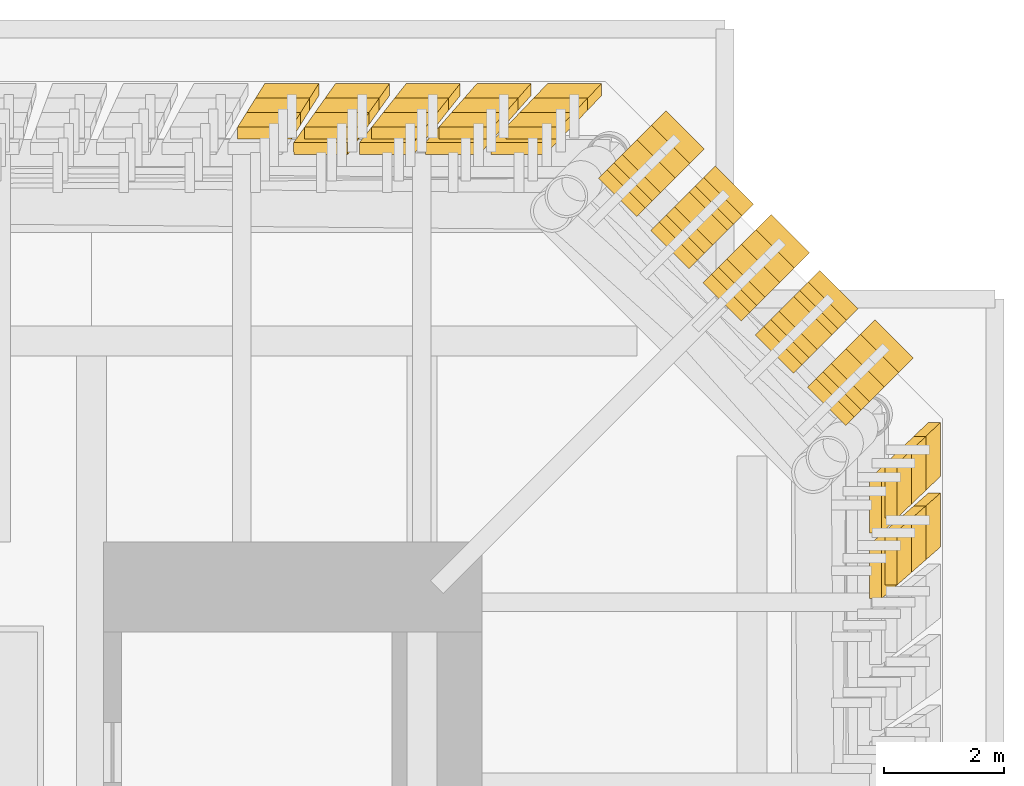
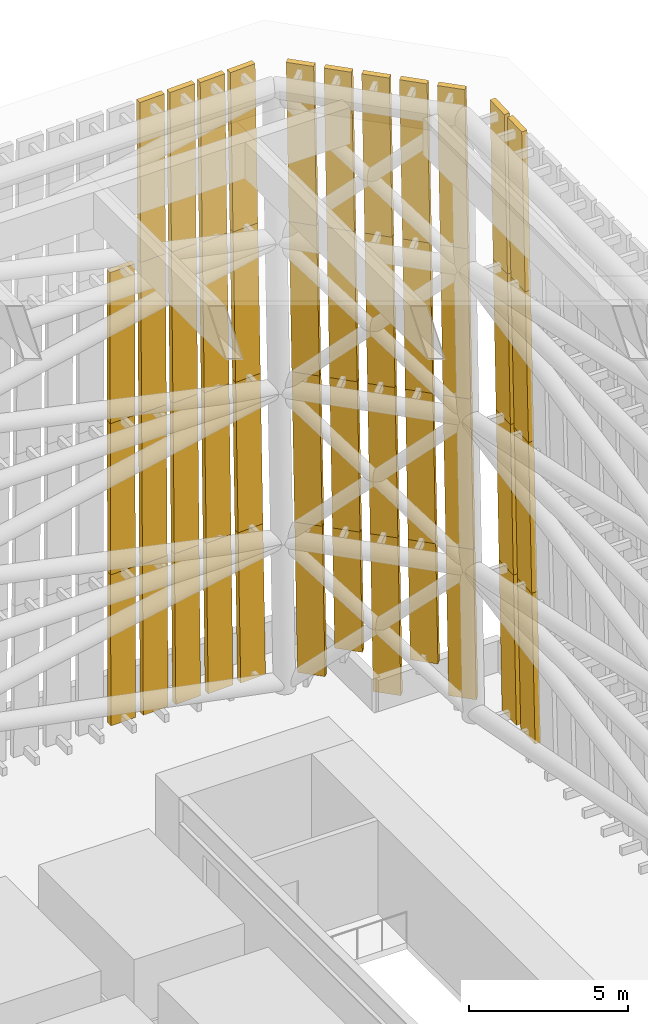
# One storey, part 12 of 13: 47 shading devices.
"""IFC4 building model written with IfcOpenShell, lengths in metres."""

from ifc_helpers import new_model, si_unit, direction, frame, origin, origin_2d, place, context, subcontext, project, spatial, rectangle, extrude, source, transform, mapped, material, material_profile, profile_set, type_object, element, save


model = new_model("IFC4")

# Units and contexts
model_context = context("Model", 3, precision=1e-05, world=origin(), true_north=direction((0.0, 1.0)))
body_context = subcontext(model_context, "Body", "Model", "MODEL_VIEW")
ifc_project = project(units=[si_unit("LENGTHUNIT", "METRE"), si_unit("AREAUNIT", "SQUARE_METRE"), si_unit("VOLUMEUNIT", "CUBIC_METRE"), si_unit("PLANEANGLEUNIT", "RADIAN"), si_unit("MASSUNIT", "GRAM", prefix="KILO")], contexts=[model_context])

# Site, building, storey
site_placement = place(None, origin())
site = spatial("IfcSite", under=ifc_project, at=site_placement, CompositionType="ELEMENT")
building_placement = place(site_placement, origin())
building = spatial("IfcBuilding", under=site, at=building_placement, Name="Peilmerk Tower", CompositionType="ELEMENT")
storey_placement = place(building_placement, frame((0.0, 0.0, 307.800048828125)))
storey = spatial("IfcBuildingStorey", under=building, at=storey_placement, Name="RF", CompositionType="ELEMENT", Elevation=307.800048828125)

# Shading devices
ifc_material = material(Name="GRP composite, board-marked concrete finish", Category="concrete")
ifc_material_profile = material_profile(ifc_material, rectangle(XDim=0.199951171875, YDim=0.89990234375, at=origin_2d()), Name="CF1 200x900")
ifc_profile_set = profile_set([ifc_material_profile], Name="GRP composite, board-marked concrete finish")
shading_device_type = type_object("IfcShadingDeviceType", Name="CF1 200x900 GRP crown fin", PredefinedType="USERDEFINED", material=ifc_profile_set)
shared_shape_1 = source(origin(), body_context, "Body", "SweptSolid", [
    extrude(rectangle(XDim=0.199951171875, YDim=0.89990234375, at=origin_2d()), origin(), (0.0, 0.0, 1.0), 6.009765625),
])
for number, where, z_axis, x_axis, name in (
    (1, (15.31689453125, 18.796875, 0.0), (-0.040258485407, -0.040258485407, 0.998377938811), (0.705959810721, 0.705959810721, 0.056934096063), "Crown fin CF1 NE_N 1 tier 1"),
    (2, (15.074951171875, 18.554931640625, 6.0), (-0.040258485407, -0.040258485407, 0.998377938811), (0.705959810721, 0.705959810721, 0.056934096063), "Crown fin CF1 NE_N 1 tier 2"),
    (3, (14.8330078125, 18.31298828125, 12.0), (-0.040258485407, -0.040258485407, 0.998377938811), (0.705959810721, 0.705959810721, 0.056934096063), "Crown fin CF1 NE_N 1 tier 3"),
    (4, (15.94482421875, 17.684814453125, 6.0), (-0.040258485407, -0.040258485407, 0.998377938811), (0.705959810721, 0.705959810721, 0.056934096063), "Crown fin CF1 NE_N 2 tier 2"),
    (5, (15.702880859375, 17.44287109375, 12.0), (-0.040258485407, -0.040258485407, 0.998377938811), (0.705959810721, 0.705959810721, 0.056934096063), "Crown fin CF1 NE_N 2 tier 3"),
    (6, (16.81494140625, 16.81494140625, 6.0), (-0.040258485407, -0.040258485407, 0.998377938811), (0.705959810721, 0.705959810721, 0.056934096063), "Crown fin CF1 NE_N 3 tier 2"),
    (7, (16.572998046875, 16.572998046875, 12.0), (-0.040258485407, -0.040258485407, 0.998377938811), (0.705959810721, 0.705959810721, 0.056934096063), "Crown fin CF1 NE_N 3 tier 3"),
    (8, (17.684814453125, 15.94482421875, 6.0), (-0.040258485407, -0.040258485407, 0.998377938811), (0.705959810721, 0.705959810721, 0.056934096063), "Crown fin CF1 NE_N 4 tier 2"),
    (9, (17.44287109375, 15.702880859375, 12.0), (-0.040258485407, -0.040258485407, 0.998377938811), (0.705959810721, 0.705959810721, 0.056934096063), "Crown fin CF1 NE_N 4 tier 3"),
    (10, (18.796875, 15.31689453125, 0.0), (-0.040258485407, -0.040258485407, 0.998377938811), (0.705959810721, 0.705959810721, 0.056934096063), "Crown fin CF1 NE_N 5 tier 1"),
    (11, (18.554931640625, 15.074951171875, 6.0), (-0.040258485407, -0.040258485407, 0.998377938811), (0.705959810721, 0.705959810721, 0.056934096063), "Crown fin CF1 NE_N 5 tier 2"),
    (12, (18.31298828125, 14.8330078125, 12.0), (-0.040258485407, -0.040258485407, 0.998377938811), (0.705959810721, 0.705959810721, 0.056934096063), "Crown fin CF1 NE_N 5 tier 3"),
):
    element("IfcShadingDevice", number, at=place(storey_placement, frame(where, z_axis=z_axis, x_axis=x_axis)), inside=storey, type_object=shading_device_type, Name=name, ObjectType="CROWN FIN", PredefinedType="USERDEFINED", context=body_context, shape_type="MappedRepresentation", body=[
        mapped(shared_shape_1, transform((0.0, 0.0, 0.0), scale=1.0)),
    ])
shared_shape_2 = source(origin(), body_context, "Body", "SweptSolid", [
    extrude(rectangle(XDim=0.199951171875, YDim=0.89990234375, at=origin_2d()), origin(), (0.0, 0.0, 1.0), 6.36572265625),
])
for number, where, z_axis, x_axis, name in (
    (13, (14.591064453125, 18.071044921875, 18.0), (-0.040269510679, -0.040269510679, 0.998377049526), (0.705959181901, 0.705959181901, 0.056949688153), "Crown fin CF1 NE_N 1 tier 4"),
    (14, (15.4609375, 17.200927734375, 18.0), (-0.040231282973, -0.040231282973, 0.998380131884), (0.705961361457, 0.705961361457, 0.056895626012), "Crown fin CF1 NE_N 2 tier 4"),
    (15, (16.3310546875, 16.3310546875, 18.0), (-0.040269510679, -0.040269510679, 0.998377049526), (0.705959181901, 0.705959181901, 0.056949688153), "Crown fin CF1 NE_N 3 tier 4"),
    (16, (17.200927734375, 15.4609375, 18.0), (-0.040231282973, -0.040231282973, 0.998380131884), (0.705961361457, 0.705961361457, 0.056895626012), "Crown fin CF1 NE_N 4 tier 4"),
    (17, (18.071044921875, 14.591064453125, 18.0), (-0.040269510679, -0.040269510679, 0.998377049526), (0.705959181901, 0.705959181901, 0.056949688153), "Crown fin CF1 NE_N 5 tier 4"),
):
    element("IfcShadingDevice", number, at=place(storey_placement, frame(where, z_axis=z_axis, x_axis=x_axis)), inside=storey, type_object=shading_device_type, Name=name, ObjectType="CROWN FIN", PredefinedType="USERDEFINED", context=body_context, shape_type="MappedRepresentation", body=[
        mapped(shared_shape_2, transform((0.0, 0.0, 0.0), scale=1.0)),
    ])
shared_shape_3 = source(origin(), body_context, "Body", "SweptSolid", [
    extrude(rectangle(XDim=0.199951171875, YDim=0.89990234375, at=origin_2d()), origin(), (0.0, 0.0, 1.0), 4.807861328125),
])
for number, where, z_axis, x_axis, name in (
    (18, (16.138427734375, 17.87841796875, 1.199951171875), (-0.040268200199, -0.040268200199, 0.99837715524), (0.705959256652, 0.705959256652, 0.056947834853), "Crown fin CF1 NE_N 2 tier 1"),
    (19, (17.87841796875, 16.138427734375, 1.199951171875), (-0.040268200199, -0.040268200199, 0.99837715524), (0.705959256652, 0.705959256652, 0.056947834853), "Crown fin CF1 NE_N 4 tier 1"),
):
    element("IfcShadingDevice", number, at=place(storey_placement, frame(where, z_axis=z_axis, x_axis=x_axis)), inside=storey, type_object=shading_device_type, Name=name, ObjectType="CROWN FIN", PredefinedType="USERDEFINED", context=body_context, shape_type="MappedRepresentation", body=[
        mapped(shared_shape_3, transform((0.0, 0.0, 0.0), scale=1.0)),
    ])
shared_shape_4 = source(origin(), body_context, "Body", "SweptSolid", [
    extrude(rectangle(XDim=0.199951171875, YDim=0.89990234375, at=origin_2d()), origin(), (0.0, 0.0, 1.0), 6.310302734375),
])
shading_device_1_placement = place(storey_placement, frame((17.06884765625, 17.06884765625, -0.300048828125), z_axis=(-0.040236964191, -0.040236964191, 0.998379673985), x_axis=(0.705961037673, 0.705961037673, 0.056903660467)))
element("IfcShadingDevice", 20, at=shading_device_1_placement, inside=storey, type_object=shading_device_type, Name="Crown fin CF1 NE_N 3 tier 1", ObjectType="CROWN FIN", PredefinedType="USERDEFINED", context=body_context, shape_type="MappedRepresentation", body=[
    mapped(shared_shape_4, transform((0.0, 0.0, 0.0), scale=1.0)),
])
shared_shape_5 = source(origin(), body_context, "Body", "SweptSolid", [
    extrude(rectangle(XDim=0.199951171875, YDim=0.89990234375, at=origin_2d()), origin(), (0.0, 0.0, 1.0), 6.00927734375),
])
for number, where, z_axis, x_axis, name in (
    (21, (19.541015625, 13.54638671875, 0.0), (-0.040261192417, -0.038554865392, 0.998445070467), (0.999189189486, -0.001553524468, 0.040231208987), "Crown fin CF1 NE_E 1 tier 1"),
    (22, (19.299072265625, 13.314697265625, 6.0), (-0.04026112932, -0.03859543174, 0.99844350572), (0.999189192028, -0.001555156602, 0.040231082785), "Crown fin CF1 NE_E 1 tier 2"),
    (23, (19.05712890625, 13.082763671875, 12.0), (-0.04026112932, -0.03859543174, 0.99844350572), (0.999189192028, -0.001555156602, 0.040231082785), "Crown fin CF1 NE_E 1 tier 3"),
    (24, (13.54638671875, 19.541015625, 0.0), (-0.038554865392, -0.040261192417, 0.998445070467), (-0.001553524468, 0.999189189486, 0.040231208987), "Crown fin CF1 NW_N 24 tier 1"),
    (25, (13.314697265625, 19.299072265625, 6.0), (-0.03859543174, -0.04026112932, 0.99844350572), (-0.001555156602, 0.999189192028, 0.040231082785), "Crown fin CF1 NW_N 24 tier 2"),
    (26, (13.082763671875, 19.05712890625, 12.0), (-0.03859543174, -0.04026112932, 0.99844350572), (-0.001555156602, 0.999189192028, 0.040231082785), "Crown fin CF1 NW_N 24 tier 3"),
):
    element("IfcShadingDevice", number, at=place(storey_placement, frame(where, z_axis=z_axis, x_axis=x_axis)), inside=storey, type_object=shading_device_type, Name=name, ObjectType="CROWN FIN", PredefinedType="USERDEFINED", context=body_context, shape_type="MappedRepresentation", body=[
        mapped(shared_shape_5, transform((0.0, 0.0, 0.0), scale=1.0)),
    ])
shared_shape_6 = source(origin(), body_context, "Body", "SweptSolid", [
    extrude(rectangle(XDim=0.199951171875, YDim=0.89990234375, at=origin_2d()), origin(), (0.0, 0.0, 1.0), 6.365478515625),
])
for number, where, z_axis, x_axis, name in (
    (27, (18.815185546875, 12.850830078125, 18.0), (-0.040272249661, -0.038546296104, 0.9984449554), (0.999188743885, -0.001553606433, 0.040242271305), "Crown fin CF1 NE_E 1 tier 4"),
    (28, (12.850830078125, 18.815185546875, 18.0), (-0.038546296104, -0.040272249661, 0.9984449554), (-0.001553606433, 0.999188743885, 0.040242271305), "Crown fin CF1 NW_N 24 tier 4"),
):
    element("IfcShadingDevice", number, at=place(storey_placement, frame(where, z_axis=z_axis, x_axis=x_axis)), inside=storey, type_object=shading_device_type, Name=name, ObjectType="CROWN FIN", PredefinedType="USERDEFINED", context=body_context, shape_type="MappedRepresentation", body=[
        mapped(shared_shape_6, transform((0.0, 0.0, 0.0), scale=1.0)),
    ])
shared_shape_7 = source(origin(), body_context, "Body", "SweptSolid", [
    extrude(rectangle(XDim=0.199951171875, YDim=0.89990234375, at=origin_2d()), origin(), (0.0, 0.0, 1.0), 6.008544921875),
])
for number, where, z_axis, x_axis, name in (
    (29, (19.541015625, 12.36865234375, 0.0), (-0.040266083462, -0.035268375827, 0.998566364439), (0.999188992395, -0.001421272027, 0.040240992324), "Crown fin CF1 NE_E 2 tier 1"),
    (30, (19.299072265625, 12.15673828125, 6.0), (-0.040266141131, -0.035227794511, 0.99856779458), (0.999188990071, -0.001419638687, 0.040241107683), "Crown fin CF1 NE_E 2 tier 2"),
    (31, (19.05712890625, 11.945068359375, 12.0), (-0.040266141131, -0.035227794511, 0.99856779458), (0.999188990071, -0.001419638687, 0.040241107683), "Crown fin CF1 NE_E 2 tier 3"),
    (32, (12.36865234375, 19.541015625, 0.0), (-0.035268375827, -0.040266083462, 0.998566364439), (-0.001421272027, 0.999188992395, 0.040240992324), "Crown fin CF1 NW_N 23 tier 1"),
    (33, (12.15673828125, 19.299072265625, 6.0), (-0.035227794511, -0.040266141131, 0.99856779458), (-0.001419638687, 0.999188990071, 0.040241107683), "Crown fin CF1 NW_N 23 tier 2"),
    (34, (11.945068359375, 19.05712890625, 12.0), (-0.035227794511, -0.040266141131, 0.99856779458), (-0.001419638687, 0.999188990071, 0.040241107683), "Crown fin CF1 NW_N 23 tier 3"),
):
    element("IfcShadingDevice", number, at=place(storey_placement, frame(where, z_axis=z_axis, x_axis=x_axis)), inside=storey, type_object=shading_device_type, Name=name, ObjectType="CROWN FIN", PredefinedType="USERDEFINED", context=body_context, shape_type="MappedRepresentation", body=[
        mapped(shared_shape_7, transform((0.0, 0.0, 0.0), scale=1.0)),
    ])
shared_shape_8 = source(origin(), body_context, "Body", "SweptSolid", [
    extrude(rectangle(XDim=0.199951171875, YDim=0.89990234375, at=origin_2d()), origin(), (0.0, 0.0, 1.0), 6.364501953125),
])
for number, where, z_axis, x_axis, name in (
    (35, (18.815185546875, 11.7333984375, 18.0), (-0.040277206305, -0.035213786084, 0.998567842423), (0.999188544096, -0.00141946476, 0.040252185873), "Crown fin CF1 NE_E 2 tier 4"),
    (36, (11.7333984375, 18.815185546875, 18.0), (-0.035213786084, -0.040277206305, 0.998567842423), (-0.00141946476, 0.999188544096, 0.040252185873), "Crown fin CF1 NW_N 23 tier 4"),
):
    element("IfcShadingDevice", number, at=place(storey_placement, frame(where, z_axis=z_axis, x_axis=x_axis)), inside=storey, type_object=shading_device_type, Name=name, ObjectType="CROWN FIN", PredefinedType="USERDEFINED", context=body_context, shape_type="MappedRepresentation", body=[
        mapped(shared_shape_8, transform((0.0, 0.0, 0.0), scale=1.0)),
    ])
shared_shape_9 = source(origin(), body_context, "Body", "SweptSolid", [
    extrude(rectangle(XDim=0.199951171875, YDim=0.89990234375, at=origin_2d()), origin(), (0.0, 0.0, 1.0), 6.0078125),
])
for number, where, z_axis, x_axis, name in (
    (37, (11.190673828125, 19.541015625, 0.0), (-0.031899551915, -0.04027064452, 0.998679474996), (-0.001285658431, 0.999188808579, 0.040250116676), "Crown fin CF1 NW_N 22 tier 1"),
    (38, (10.9990234375, 19.299072265625, 6.0), (-0.031858956815, -0.040270696689, 0.998680768744), (-0.001284023979, 0.999188806477, 0.040250221046), "Crown fin CF1 NW_N 22 tier 2"),
    (39, (10.8076171875, 19.05712890625, 12.0), (-0.031899551915, -0.04027064452, 0.998679474996), (-0.001285658431, 0.999188808579, 0.040250116676), "Crown fin CF1 NW_N 22 tier 3"),
):
    element("IfcShadingDevice", number, at=place(storey_placement, frame(where, z_axis=z_axis, x_axis=x_axis)), inside=storey, type_object=shading_device_type, Name=name, ObjectType="CROWN FIN", PredefinedType="USERDEFINED", context=body_context, shape_type="MappedRepresentation", body=[
        mapped(shared_shape_9, transform((0.0, 0.0, 0.0), scale=1.0)),
    ])
shared_shape_10 = source(origin(), body_context, "Body", "SweptSolid", [
    extrude(rectangle(XDim=0.199951171875, YDim=0.89990234375, at=origin_2d()), origin(), (0.0, 0.0, 1.0), 6.36376953125),
])
shading_device_2_placement = place(storey_placement, frame((10.615966796875, 18.815185546875, 18.0), z_axis=(-0.031880100984, -0.040281716045, 0.998679649594), x_axis=(-0.001285228315, 0.999188362298, 0.040261207578)))
element("IfcShadingDevice", 40, at=shading_device_2_placement, inside=storey, type_object=shading_device_type, Name="Crown fin CF1 NW_N 22 tier 4", ObjectType="CROWN FIN", PredefinedType="USERDEFINED", context=body_context, shape_type="MappedRepresentation", body=[
    mapped(shared_shape_10, transform((0.0, 0.0, 0.0), scale=1.0)),
])
shared_shape_11 = source(origin(), body_context, "Body", "SweptSolid", [
    extrude(rectangle(XDim=0.199951171875, YDim=0.89990234375, at=origin_2d()), origin(), (0.0, 0.0, 1.0), 6.00732421875),
])
for number, where, z_axis, x_axis, name in (
    (41, (10.0126953125, 19.541015625, 0.0), (-0.028529640468, -0.040274748865, 0.998781259445), (-0.001149957131, 0.999188643152, 0.040258328266), "Crown fin CF1 NW_N 21 tier 1"),
    (42, (9.84130859375, 19.299072265625, 6.0), (-0.028529640468, -0.040274748865, 0.998781259445), (-0.001149957131, 0.999188643152, 0.040258328266), "Crown fin CF1 NW_N 21 tier 2"),
    (43, (9.669921875, 19.05712890625, 12.0), (-0.028529640468, -0.040274748865, 0.998781259445), (-0.001149957131, 0.999188643152, 0.040258328266), "Crown fin CF1 NW_N 21 tier 3"),
):
    element("IfcShadingDevice", number, at=place(storey_placement, frame(where, z_axis=z_axis, x_axis=x_axis)), inside=storey, type_object=shading_device_type, Name=name, ObjectType="CROWN FIN", PredefinedType="USERDEFINED", context=body_context, shape_type="MappedRepresentation", body=[
        mapped(shared_shape_11, transform((0.0, 0.0, 0.0), scale=1.0)),
    ])
shared_shape_12 = source(origin(), body_context, "Body", "SweptSolid", [
    extrude(rectangle(XDim=0.199951171875, YDim=0.89990234375, at=origin_2d()), origin(), (0.0, 0.0, 1.0), 6.36328125),
])
shading_device_3_placement = place(storey_placement, frame((9.49853515625, 18.815185546875, 18.0), z_axis=(-0.028545351571, -0.040285778427, 0.998780365726), x_axis=(-0.001150906016, 0.999188198517, 0.040269335217)))
element("IfcShadingDevice", 44, at=shading_device_3_placement, inside=storey, type_object=shading_device_type, Name="Crown fin CF1 NW_N 21 tier 4", ObjectType="CROWN FIN", PredefinedType="USERDEFINED", context=body_context, shape_type="MappedRepresentation", body=[
    mapped(shared_shape_12, transform((0.0, 0.0, 0.0), scale=1.0)),
])
shared_shape_13 = source(origin(), body_context, "Body", "SweptSolid", [
    extrude(rectangle(XDim=0.199951171875, YDim=0.89990234375, at=origin_2d()), origin(), (0.0, 0.0, 1.0), 6.0068359375),
])
for number, where, z_axis, x_axis, name in (
    (45, (8.834716796875, 19.541015625, 0.0), (-0.025199374381, -0.040278354858, 0.998870685154), (-0.001015813679, 0.999188497797, 0.040265543491), "Crown fin CF1 NW_N 20 tier 1"),
    (46, (8.683349609375, 19.299072265625, 6.0), (-0.025158755976, -0.040278396078, 0.998871707381), (-0.001014177347, 0.999188496135, 0.040265625972), "Crown fin CF1 NW_N 20 tier 2"),
    (47, (8.5322265625, 19.05712890625, 12.0), (-0.025158755976, -0.040278396078, 0.998871707381), (-0.001014177347, 0.999188496135, 0.040265625972), "Crown fin CF1 NW_N 20 tier 3"),
):
    element("IfcShadingDevice", number, at=place(storey_placement, frame(where, z_axis=z_axis, x_axis=x_axis)), inside=storey, type_object=shading_device_type, Name=name, ObjectType="CROWN FIN", PredefinedType="USERDEFINED", context=body_context, shape_type="MappedRepresentation", body=[
        mapped(shared_shape_13, transform((0.0, 0.0, 0.0), scale=1.0)),
    ])

save(model, "model.ifc")
